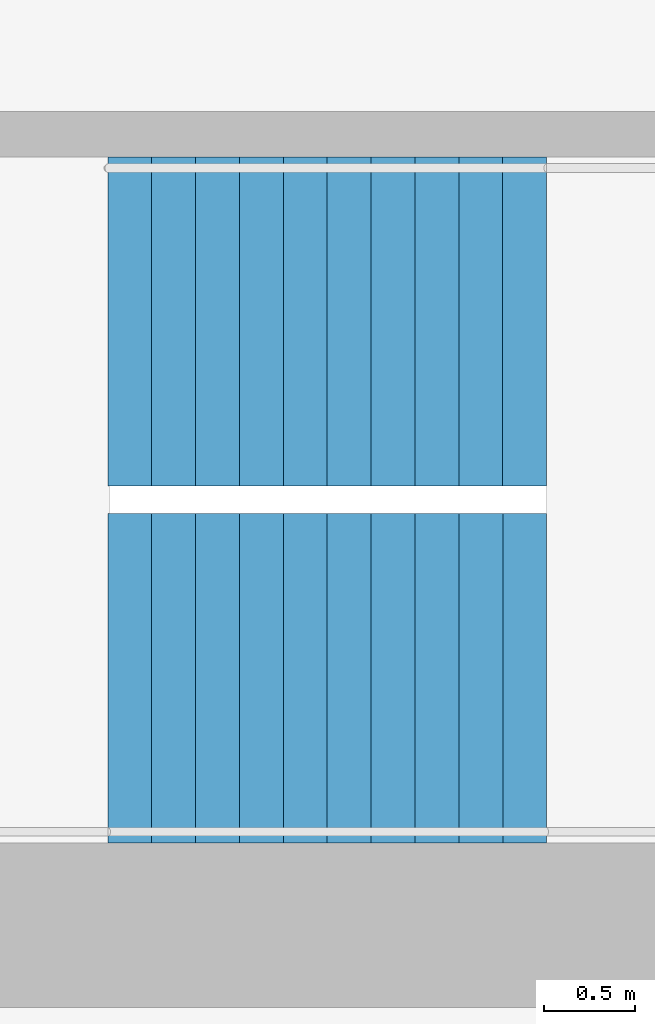
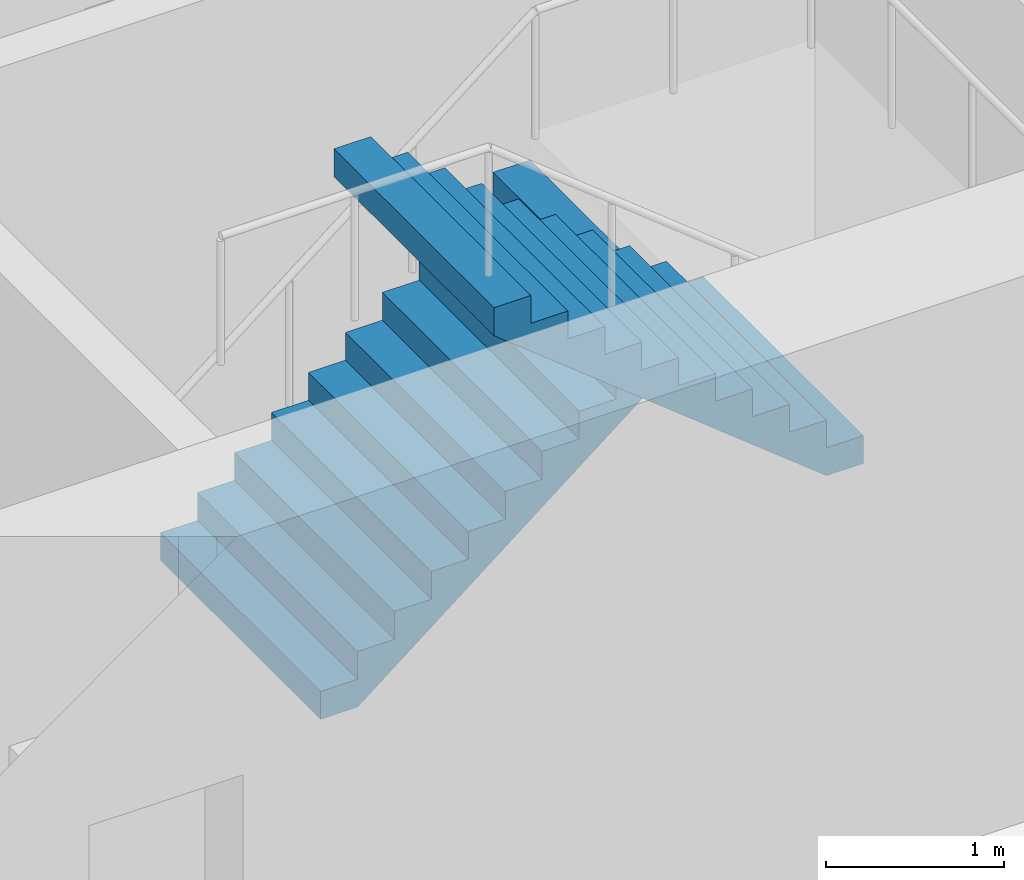
# One storey, part 40 of 41: 2 stair flights, 1 element without a shape of its own.
"""IFC4 building model written with IfcOpenShell, lengths in metres."""

from ifc_helpers import new_model, si_unit, direction, frame, origin, place, context, subcontext, project, spatial, triangles, material, type_object, element, aggregate, save


model = new_model("IFC4")

# Units and contexts
model_context = context("Model", 3, precision=1e-05, world=origin(), true_north=direction((0.0, 1.0)))
body_context = subcontext(model_context, "Body", "Model", "MODEL_VIEW")
ifc_project = project(units=[si_unit("LENGTHUNIT", "METRE"), si_unit("AREAUNIT", "SQUARE_METRE"), si_unit("VOLUMEUNIT", "CUBIC_METRE"), si_unit("PLANEANGLEUNIT", "RADIAN"), si_unit("MASSUNIT", "GRAM", prefix="KILO")], contexts=[model_context])

# Site, building, storey
site_placement = place(None, origin())
site = spatial("IfcSite", under=ifc_project, at=site_placement, CompositionType="ELEMENT")
building_placement = place(site_placement, origin())
building = spatial("IfcBuilding", under=site, at=building_placement, Name="Hakoniwa Tower and Hamabe Station Hall", CompositionType="ELEMENT")
storey_placement = place(building_placement, frame((0.0, 0.0, 276.60009765625)))
storey = spatial("IfcBuildingStorey", under=building, at=storey_placement, Name="L77", CompositionType="ELEMENT", Elevation=276.60009765625)

# Stair, stair flights
ifc_material_1 = material(Name="Concrete C40", Category="concrete")
stair_type = type_object("IfcStairType", Name="ESCAPE STAIR 1800", PredefinedType="HALF_TURN_STAIR", material=ifc_material_1)
stair_placement = place(storey_placement, origin())
stair = element("IfcStair", 1, at=stair_placement, inside=storey, type_object=stair_type, Name="Escape stair ST-4 L77", PredefinedType="HALF_TURN_STAIR")
ifc_material_2 = material(Name="Concrete C40", Category="concrete")
stair_flight_type = type_object("IfcStairFlightType", Name="STAIR FLIGHT 1800", PredefinedType="STRAIGHT", material=ifc_material_2)
stair_flight_1_placement = place(storey_placement, frame((23.39990234375, -4.64990234375, 0.0), z_axis=(0.0, 0.0, 1.0), x_axis=(1.0, 0.0, 0.0)))
stair_flight_1 = element("IfcStairFlight", 2, at=stair_flight_1_placement, type_object=stair_flight_type, Name="ST-4 flight 1", NumberOfRisers=11, NumberOfTreads=10, PredefinedType="STRAIGHT", RiserHeight=0.190909091, TreadLength=0.24, context=body_context, shape_type="Tessellation", body=[
    triangles([(0.0, 0.89990234375, 0.0), (0.239990234375, 0.89990234375, 0.0), (0.24072265625, 0.89990234375, 0.0), (0.47998046875, 0.89990234375, 0.190185546875), (0.719970703125, 0.89990234375, 0.381103515625), (0.9599609375, 0.89990234375, 0.572021484375), (1.199951171875, 0.89990234375, 0.762939453125), (1.43994140625, 0.89990234375, 0.953857421875), (1.679931640625, 0.89990234375, 1.144775390625), (1.919921875, 0.89990234375, 1.335693359375), (2.159912109375, 0.89990234375, 1.526611328125), (2.39990234375, 0.89990234375, 1.717529296875), (2.39990234375, 0.89990234375, 1.9091796875), (2.159912109375, 0.89990234375, 1.9091796875), (2.159912109375, 0.89990234375, 1.71826171875), (1.919921875, 0.89990234375, 1.71826171875), (1.919921875, 0.89990234375, 1.52734375), (1.679931640625, 0.89990234375, 1.52734375), (1.679931640625, 0.89990234375, 1.33642578125), (1.43994140625, 0.89990234375, 1.33642578125), (1.43994140625, 0.89990234375, 1.1455078125), (1.199951171875, 0.89990234375, 1.1455078125), (1.199951171875, 0.89990234375, 0.95458984375), (0.9599609375, 0.89990234375, 0.95458984375), (0.9599609375, 0.89990234375, 0.763671875), (0.719970703125, 0.89990234375, 0.763671875), (0.719970703125, 0.89990234375, 0.57275390625), (0.47998046875, 0.89990234375, 0.57275390625), (0.47998046875, 0.89990234375, 0.3818359375), (0.24072265625, 0.89990234375, 0.3818359375), (0.239990234375, 0.89990234375, 0.3818359375), (0.239990234375, 0.89990234375, 0.19091796875), (0.0, 0.89990234375, 0.19091796875), (0.0, 0.06005859375, 0.0), (0.239990234375, 0.06005859375, 0.0), (0.24072265625, 0.06005859375, 0.0), (0.47998046875, 0.06005859375, 0.190185546875), (0.719970703125, 0.06005859375, 0.381103515625), (0.9599609375, 0.06005859375, 0.572021484375), (1.199951171875, 0.06005859375, 0.762939453125), (1.43994140625, 0.06005859375, 0.953857421875), (1.679931640625, 0.06005859375, 1.144775390625), (1.919921875, 0.06005859375, 1.335693359375), (2.159912109375, 0.06005859375, 1.526611328125), (2.39990234375, 0.06005859375, 1.717529296875), (2.39990234375, 0.06005859375, 1.9091796875), (2.159912109375, 0.06005859375, 1.9091796875), (2.159912109375, 0.06005859375, 1.71826171875), (1.919921875, 0.06005859375, 1.71826171875), (1.919921875, 0.06005859375, 1.52734375), (1.679931640625, 0.06005859375, 1.52734375), (1.679931640625, 0.06005859375, 1.33642578125), (1.43994140625, 0.06005859375, 1.33642578125), (1.43994140625, 0.06005859375, 1.1455078125), (1.199951171875, 0.06005859375, 1.1455078125), (1.199951171875, 0.06005859375, 0.95458984375), (0.9599609375, 0.06005859375, 0.95458984375), (0.9599609375, 0.06005859375, 0.763671875), (0.719970703125, 0.06005859375, 0.763671875), (0.719970703125, 0.06005859375, 0.57275390625), (0.47998046875, 0.06005859375, 0.57275390625), (0.47998046875, 0.06005859375, 0.3818359375), (0.24072265625, 0.06005859375, 0.3818359375), (0.239990234375, 0.06005859375, 0.3818359375), (0.239990234375, 0.06005859375, 0.19091796875), (0.0, 0.06005859375, 0.19091796875), (0.0, 0.02001953125, 0.0), (0.239990234375, 0.02001953125, 0.0), (0.24072265625, 0.02001953125, 0.0), (0.47998046875, 0.02001953125, 0.190185546875), (0.719970703125, 0.02001953125, 0.381103515625), (0.9599609375, 0.02001953125, 0.572021484375), (1.199951171875, 0.02001953125, 0.762939453125), (1.43994140625, 0.02001953125, 0.953857421875), (1.679931640625, 0.02001953125, 1.144775390625), (1.919921875, 0.02001953125, 1.335693359375), (2.159912109375, 0.02001953125, 1.526611328125), (2.39990234375, 0.02001953125, 1.717529296875), (2.39990234375, 0.02001953125, 1.9091796875), (2.159912109375, 0.02001953125, 1.9091796875), (2.159912109375, 0.02001953125, 1.71826171875), (1.919921875, 0.02001953125, 1.71826171875), (1.919921875, 0.02001953125, 1.52734375), (1.679931640625, 0.02001953125, 1.52734375), (1.679931640625, 0.02001953125, 1.33642578125), (1.43994140625, 0.02001953125, 1.33642578125), (1.43994140625, 0.02001953125, 1.1455078125), (1.199951171875, 0.02001953125, 1.1455078125), (1.199951171875, 0.02001953125, 0.95458984375), (0.9599609375, 0.02001953125, 0.95458984375), (0.9599609375, 0.02001953125, 0.763671875), (0.719970703125, 0.02001953125, 0.763671875), (0.719970703125, 0.02001953125, 0.57275390625), (0.47998046875, 0.02001953125, 0.57275390625), (0.47998046875, 0.02001953125, 0.3818359375), (0.24072265625, 0.02001953125, 0.3818359375), (0.239990234375, 0.02001953125, 0.3818359375), (0.239990234375, 0.02001953125, 0.19091796875), (0.0, 0.02001953125, 0.19091796875), (0.0, -0.02001953125, 0.0), (0.239990234375, -0.02001953125, 0.0), (0.24072265625, -0.02001953125, 0.0), (0.47998046875, -0.02001953125, 0.190185546875), (0.719970703125, -0.02001953125, 0.381103515625), (0.9599609375, -0.02001953125, 0.572021484375), (1.199951171875, -0.02001953125, 0.762939453125), (1.43994140625, -0.02001953125, 0.953857421875), (1.679931640625, -0.02001953125, 1.144775390625), (1.919921875, -0.02001953125, 1.335693359375), (2.159912109375, -0.02001953125, 1.526611328125), (2.39990234375, -0.02001953125, 1.717529296875), (2.39990234375, -0.02001953125, 1.9091796875), (2.159912109375, -0.02001953125, 1.9091796875), (2.159912109375, -0.02001953125, 1.71826171875), (1.919921875, -0.02001953125, 1.71826171875), (1.919921875, -0.02001953125, 1.52734375), (1.679931640625, -0.02001953125, 1.52734375), (1.679931640625, -0.02001953125, 1.33642578125), (1.43994140625, -0.02001953125, 1.33642578125), (1.43994140625, -0.02001953125, 1.1455078125), (1.199951171875, -0.02001953125, 1.1455078125), (1.199951171875, -0.02001953125, 0.95458984375), (0.9599609375, -0.02001953125, 0.95458984375), (0.9599609375, -0.02001953125, 0.763671875), (0.719970703125, -0.02001953125, 0.763671875), (0.719970703125, -0.02001953125, 0.57275390625), (0.47998046875, -0.02001953125, 0.57275390625), (0.47998046875, -0.02001953125, 0.3818359375), (0.24072265625, -0.02001953125, 0.3818359375), (0.239990234375, -0.02001953125, 0.3818359375), (0.239990234375, -0.02001953125, 0.19091796875), (0.0, -0.02001953125, 0.19091796875), (0.0, -0.06005859375, 0.0), (0.239990234375, -0.06005859375, 0.0), (0.24072265625, -0.06005859375, 0.0), (0.47998046875, -0.06005859375, 0.190185546875), (0.719970703125, -0.06005859375, 0.381103515625), (0.9599609375, -0.06005859375, 0.572021484375), (1.199951171875, -0.06005859375, 0.762939453125), (1.43994140625, -0.06005859375, 0.953857421875), (1.679931640625, -0.06005859375, 1.144775390625), (1.919921875, -0.06005859375, 1.335693359375), (2.159912109375, -0.06005859375, 1.526611328125), (2.39990234375, -0.06005859375, 1.717529296875), (2.39990234375, -0.06005859375, 1.9091796875), (2.159912109375, -0.06005859375, 1.9091796875), (2.159912109375, -0.06005859375, 1.71826171875), (1.919921875, -0.06005859375, 1.71826171875), (1.919921875, -0.06005859375, 1.52734375), (1.679931640625, -0.06005859375, 1.52734375), (1.679931640625, -0.06005859375, 1.33642578125), (1.43994140625, -0.06005859375, 1.33642578125), (1.43994140625, -0.06005859375, 1.1455078125), (1.199951171875, -0.06005859375, 1.1455078125), (1.199951171875, -0.06005859375, 0.95458984375), (0.9599609375, -0.06005859375, 0.95458984375), (0.9599609375, -0.06005859375, 0.763671875), (0.719970703125, -0.06005859375, 0.763671875), (0.719970703125, -0.06005859375, 0.57275390625), (0.47998046875, -0.06005859375, 0.57275390625), (0.47998046875, -0.06005859375, 0.3818359375), (0.24072265625, -0.06005859375, 0.3818359375), (0.239990234375, -0.06005859375, 0.3818359375), (0.239990234375, -0.06005859375, 0.19091796875), (0.0, -0.06005859375, 0.19091796875), (0.0, -0.89990234375, 0.0), (0.239990234375, -0.89990234375, 0.0), (0.24072265625, -0.89990234375, 0.0), (0.47998046875, -0.89990234375, 0.190185546875), (0.719970703125, -0.89990234375, 0.381103515625), (0.9599609375, -0.89990234375, 0.572021484375), (1.199951171875, -0.89990234375, 0.762939453125), (1.43994140625, -0.89990234375, 0.953857421875), (1.679931640625, -0.89990234375, 1.144775390625), (1.919921875, -0.89990234375, 1.335693359375), (2.159912109375, -0.89990234375, 1.526611328125), (2.39990234375, -0.89990234375, 1.717529296875), (2.39990234375, -0.89990234375, 1.9091796875), (2.159912109375, -0.89990234375, 1.9091796875), (2.159912109375, -0.89990234375, 1.71826171875), (1.919921875, -0.89990234375, 1.71826171875), (1.919921875, -0.89990234375, 1.52734375), (1.679931640625, -0.89990234375, 1.52734375), (1.679931640625, -0.89990234375, 1.33642578125), (1.43994140625, -0.89990234375, 1.33642578125), (1.43994140625, -0.89990234375, 1.1455078125), (1.199951171875, -0.89990234375, 1.1455078125), (1.199951171875, -0.89990234375, 0.95458984375), (0.9599609375, -0.89990234375, 0.95458984375), (0.9599609375, -0.89990234375, 0.763671875), (0.719970703125, -0.89990234375, 0.763671875), (0.719970703125, -0.89990234375, 0.57275390625), (0.47998046875, -0.89990234375, 0.57275390625), (0.47998046875, -0.89990234375, 0.3818359375), (0.24072265625, -0.89990234375, 0.3818359375), (0.239990234375, -0.89990234375, 0.3818359375), (0.239990234375, -0.89990234375, 0.19091796875), (0.0, -0.89990234375, 0.19091796875)], [[2, 33, 32], [167, 197, 198], [2, 1, 33], [167, 198, 166], [3, 31, 30], [168, 195, 196], [3, 32, 31], [168, 196, 197], [3, 2, 32], [168, 197, 167], [4, 30, 29], [169, 194, 195], [4, 3, 30], [169, 195, 168], [5, 28, 27], [170, 192, 193], [5, 29, 28], [170, 193, 194], [5, 4, 29], [170, 194, 169], [6, 26, 25], [171, 190, 191], [6, 27, 26], [171, 191, 192], [6, 5, 27], [171, 192, 170], [7, 24, 23], [172, 188, 189], [7, 25, 24], [172, 189, 190], [7, 6, 25], [172, 190, 171], [8, 22, 21], [173, 186, 187], [8, 23, 22], [173, 187, 188], [8, 7, 23], [173, 188, 172], [9, 20, 19], [174, 184, 185], [9, 21, 20], [174, 185, 186], [9, 8, 21], [174, 186, 173], [10, 18, 17], [175, 182, 183], [10, 19, 18], [175, 183, 184], [10, 9, 19], [175, 184, 174], [11, 16, 15], [176, 180, 181], [11, 17, 16], [176, 181, 182], [11, 10, 17], [176, 182, 175], [12, 14, 13], [177, 178, 179], [12, 15, 14], [177, 179, 180], [12, 11, 15], [177, 180, 176], [1, 2, 35], [1, 35, 34], [34, 35, 68], [34, 68, 67], [67, 68, 101], [67, 101, 100], [100, 101, 134], [100, 134, 133], [133, 134, 167], [133, 167, 166], [2, 3, 36], [2, 36, 35], [35, 36, 69], [35, 69, 68], [68, 69, 102], [68, 102, 101], [101, 102, 135], [101, 135, 134], [134, 135, 168], [134, 168, 167], [3, 4, 37], [3, 37, 36], [36, 37, 70], [36, 70, 69], [69, 70, 103], [69, 103, 102], [102, 103, 136], [102, 136, 135], [135, 136, 169], [135, 169, 168], [4, 5, 38], [4, 38, 37], [37, 38, 71], [37, 71, 70], [70, 71, 104], [70, 104, 103], [103, 104, 137], [103, 137, 136], [136, 137, 170], [136, 170, 169], [5, 6, 39], [5, 39, 38], [38, 39, 72], [38, 72, 71], [71, 72, 105], [71, 105, 104], [104, 105, 138], [104, 138, 137], [137, 138, 171], [137, 171, 170], [6, 7, 40], [6, 40, 39], [39, 40, 73], [39, 73, 72], [72, 73, 106], [72, 106, 105], [105, 106, 139], [105, 139, 138], [138, 139, 172], [138, 172, 171], [7, 8, 41], [7, 41, 40], [40, 41, 74], [40, 74, 73], [73, 74, 107], [73, 107, 106], [106, 107, 140], [106, 140, 139], [139, 140, 173], [139, 173, 172], [8, 9, 42], [8, 42, 41], [41, 42, 75], [41, 75, 74], [74, 75, 108], [74, 108, 107], [107, 108, 141], [107, 141, 140], [140, 141, 174], [140, 174, 173], [9, 10, 43], [9, 43, 42], [42, 43, 76], [42, 76, 75], [75, 76, 109], [75, 109, 108], [108, 109, 142], [108, 142, 141], [141, 142, 175], [141, 175, 174], [10, 11, 44], [10, 44, 43], [43, 44, 77], [43, 77, 76], [76, 77, 110], [76, 110, 109], [109, 110, 143], [109, 143, 142], [142, 143, 176], [142, 176, 175], [11, 12, 45], [11, 45, 44], [44, 45, 78], [44, 78, 77], [77, 78, 111], [77, 111, 110], [110, 111, 144], [110, 144, 143], [143, 144, 177], [143, 177, 176], [12, 13, 46], [12, 46, 45], [45, 46, 79], [45, 79, 78], [78, 79, 112], [78, 112, 111], [111, 112, 145], [111, 145, 144], [144, 145, 178], [144, 178, 177], [13, 14, 47], [13, 47, 46], [46, 47, 80], [46, 80, 79], [79, 80, 113], [79, 113, 112], [112, 113, 146], [112, 146, 145], [145, 146, 179], [145, 179, 178], [14, 15, 48], [14, 48, 47], [47, 48, 81], [47, 81, 80], [80, 81, 114], [80, 114, 113], [113, 114, 147], [113, 147, 146], [146, 147, 180], [146, 180, 179], [15, 16, 49], [15, 49, 48], [48, 49, 82], [48, 82, 81], [81, 82, 115], [81, 115, 114], [114, 115, 148], [114, 148, 147], [147, 148, 181], [147, 181, 180], [16, 17, 50], [16, 50, 49], [49, 50, 83], [49, 83, 82], [82, 83, 116], [82, 116, 115], [115, 116, 149], [115, 149, 148], [148, 149, 182], [148, 182, 181], [17, 18, 51], [17, 51, 50], [50, 51, 84], [50, 84, 83], [83, 84, 117], [83, 117, 116], [116, 117, 150], [116, 150, 149], [149, 150, 183], [149, 183, 182], [18, 19, 52], [18, 52, 51], [51, 52, 85], [51, 85, 84], [84, 85, 118], [84, 118, 117], [117, 118, 151], [117, 151, 150], [150, 151, 184], [150, 184, 183], [19, 20, 53], [19, 53, 52], [52, 53, 86], [52, 86, 85], [85, 86, 119], [85, 119, 118], [118, 119, 152], [118, 152, 151], [151, 152, 185], [151, 185, 184], [20, 21, 54], [20, 54, 53], [53, 54, 87], [53, 87, 86], [86, 87, 120], [86, 120, 119], [119, 120, 153], [119, 153, 152], [152, 153, 186], [152, 186, 185], [21, 22, 55], [21, 55, 54], [54, 55, 88], [54, 88, 87], [87, 88, 121], [87, 121, 120], [120, 121, 154], [120, 154, 153], [153, 154, 187], [153, 187, 186], [22, 23, 56], [22, 56, 55], [55, 56, 89], [55, 89, 88], [88, 89, 122], [88, 122, 121], [121, 122, 155], [121, 155, 154], [154, 155, 188], [154, 188, 187], [23, 24, 57], [23, 57, 56], [56, 57, 90], [56, 90, 89], [89, 90, 123], [89, 123, 122], [122, 123, 156], [122, 156, 155], [155, 156, 189], [155, 189, 188], [24, 25, 58], [24, 58, 57], [57, 58, 91], [57, 91, 90], [90, 91, 124], [90, 124, 123], [123, 124, 157], [123, 157, 156], [156, 157, 190], [156, 190, 189], [25, 26, 59], [25, 59, 58], [58, 59, 92], [58, 92, 91], [91, 92, 125], [91, 125, 124], [124, 125, 158], [124, 158, 157], [157, 158, 191], [157, 191, 190], [26, 27, 60], [26, 60, 59], [59, 60, 93], [59, 93, 92], [92, 93, 126], [92, 126, 125], [125, 126, 159], [125, 159, 158], [158, 159, 192], [158, 192, 191], [27, 28, 61], [27, 61, 60], [60, 61, 94], [60, 94, 93], [93, 94, 127], [93, 127, 126], [126, 127, 160], [126, 160, 159], [159, 160, 193], [159, 193, 192], [28, 29, 62], [28, 62, 61], [61, 62, 95], [61, 95, 94], [94, 95, 128], [94, 128, 127], [127, 128, 161], [127, 161, 160], [160, 161, 194], [160, 194, 193], [29, 30, 63], [29, 63, 62], [62, 63, 96], [62, 96, 95], [95, 96, 129], [95, 129, 128], [128, 129, 162], [128, 162, 161], [161, 162, 195], [161, 195, 194], [30, 31, 64], [30, 64, 63], [63, 64, 97], [63, 97, 96], [96, 97, 130], [96, 130, 129], [129, 130, 163], [129, 163, 162], [162, 163, 196], [162, 196, 195], [31, 32, 65], [31, 65, 64], [64, 65, 98], [64, 98, 97], [97, 98, 131], [97, 131, 130], [130, 131, 164], [130, 164, 163], [163, 164, 197], [163, 197, 196], [32, 33, 66], [32, 66, 65], [65, 66, 99], [65, 99, 98], [98, 99, 132], [98, 132, 131], [131, 132, 165], [131, 165, 164], [164, 165, 198], [164, 198, 197], [33, 1, 34], [33, 34, 66], [66, 34, 67], [66, 67, 99], [99, 67, 100], [99, 100, 132], [132, 100, 133], [132, 133, 165], [165, 133, 166], [165, 166, 198]], closed=True),
])
stair_flight_2_placement = place(storey_placement, frame((25.800048828125, -6.60009765625, 2.099853515625), z_axis=(0.0, 0.0, 1.0), x_axis=(-1.0, 0.0, 0.0)))
stair_flight_2 = element("IfcStairFlight", 3, at=stair_flight_2_placement, type_object=stair_flight_type, Name="ST-4 flight 2", NumberOfRisers=11, NumberOfTreads=10, PredefinedType="STRAIGHT", RiserHeight=0.190909091, TreadLength=0.24, context=body_context, shape_type="Tessellation", body=[
    triangles([(0.0, 0.89990234375, 0.0), (0.239990234375, 0.89990234375, 0.0), (0.24072265625, 0.89990234375, 0.0), (0.47998046875, 0.89990234375, 0.190185546875), (0.719970703125, 0.89990234375, 0.381103515625), (0.9599609375, 0.89990234375, 0.572021484375), (1.199951171875, 0.89990234375, 0.762939453125), (1.43994140625, 0.89990234375, 0.953857421875), (1.679931640625, 0.89990234375, 1.144775390625), (1.919921875, 0.89990234375, 1.335693359375), (2.159912109375, 0.89990234375, 1.526611328125), (2.39990234375, 0.89990234375, 1.717529296875), (2.39990234375, 0.89990234375, 1.9091796875), (2.159912109375, 0.89990234375, 1.9091796875), (2.159912109375, 0.89990234375, 1.71826171875), (1.919921875, 0.89990234375, 1.71826171875), (1.919921875, 0.89990234375, 1.52734375), (1.679931640625, 0.89990234375, 1.52734375), (1.679931640625, 0.89990234375, 1.33642578125), (1.43994140625, 0.89990234375, 1.33642578125), (1.43994140625, 0.89990234375, 1.1455078125), (1.199951171875, 0.89990234375, 1.1455078125), (1.199951171875, 0.89990234375, 0.95458984375), (0.9599609375, 0.89990234375, 0.95458984375), (0.9599609375, 0.89990234375, 0.763671875), (0.719970703125, 0.89990234375, 0.763671875), (0.719970703125, 0.89990234375, 0.57275390625), (0.47998046875, 0.89990234375, 0.57275390625), (0.47998046875, 0.89990234375, 0.3818359375), (0.24072265625, 0.89990234375, 0.3818359375), (0.239990234375, 0.89990234375, 0.3818359375), (0.239990234375, 0.89990234375, 0.19091796875), (0.0, 0.89990234375, 0.19091796875), (0.0, 0.06005859375, 0.0), (0.239990234375, 0.06005859375, 0.0), (0.24072265625, 0.06005859375, 0.0), (0.47998046875, 0.06005859375, 0.190185546875), (0.719970703125, 0.06005859375, 0.381103515625), (0.9599609375, 0.06005859375, 0.572021484375), (1.199951171875, 0.06005859375, 0.762939453125), (1.43994140625, 0.06005859375, 0.953857421875), (1.679931640625, 0.06005859375, 1.144775390625), (1.919921875, 0.06005859375, 1.335693359375), (2.159912109375, 0.06005859375, 1.526611328125), (2.39990234375, 0.06005859375, 1.717529296875), (2.39990234375, 0.06005859375, 1.9091796875), (2.159912109375, 0.06005859375, 1.9091796875), (2.159912109375, 0.06005859375, 1.71826171875), (1.919921875, 0.06005859375, 1.71826171875), (1.919921875, 0.06005859375, 1.52734375), (1.679931640625, 0.06005859375, 1.52734375), (1.679931640625, 0.06005859375, 1.33642578125), (1.43994140625, 0.06005859375, 1.33642578125), (1.43994140625, 0.06005859375, 1.1455078125), (1.199951171875, 0.06005859375, 1.1455078125), (1.199951171875, 0.06005859375, 0.95458984375), (0.9599609375, 0.06005859375, 0.95458984375), (0.9599609375, 0.06005859375, 0.763671875), (0.719970703125, 0.06005859375, 0.763671875), (0.719970703125, 0.06005859375, 0.57275390625), (0.47998046875, 0.06005859375, 0.57275390625), (0.47998046875, 0.06005859375, 0.3818359375), (0.24072265625, 0.06005859375, 0.3818359375), (0.239990234375, 0.06005859375, 0.3818359375), (0.239990234375, 0.06005859375, 0.19091796875), (0.0, 0.06005859375, 0.19091796875), (0.0, 0.02001953125, 0.0), (0.239990234375, 0.02001953125, 0.0), (0.24072265625, 0.02001953125, 0.0), (0.47998046875, 0.02001953125, 0.190185546875), (0.719970703125, 0.02001953125, 0.381103515625), (0.9599609375, 0.02001953125, 0.572021484375), (1.199951171875, 0.02001953125, 0.762939453125), (1.43994140625, 0.02001953125, 0.953857421875), (1.679931640625, 0.02001953125, 1.144775390625), (1.919921875, 0.02001953125, 1.335693359375), (2.159912109375, 0.02001953125, 1.526611328125), (2.39990234375, 0.02001953125, 1.717529296875), (2.39990234375, 0.02001953125, 1.9091796875), (2.159912109375, 0.02001953125, 1.9091796875), (2.159912109375, 0.02001953125, 1.71826171875), (1.919921875, 0.02001953125, 1.71826171875), (1.919921875, 0.02001953125, 1.52734375), (1.679931640625, 0.02001953125, 1.52734375), (1.679931640625, 0.02001953125, 1.33642578125), (1.43994140625, 0.02001953125, 1.33642578125), (1.43994140625, 0.02001953125, 1.1455078125), (1.199951171875, 0.02001953125, 1.1455078125), (1.199951171875, 0.02001953125, 0.95458984375), (0.9599609375, 0.02001953125, 0.95458984375), (0.9599609375, 0.02001953125, 0.763671875), (0.719970703125, 0.02001953125, 0.763671875), (0.719970703125, 0.02001953125, 0.57275390625), (0.47998046875, 0.02001953125, 0.57275390625), (0.47998046875, 0.02001953125, 0.3818359375), (0.24072265625, 0.02001953125, 0.3818359375), (0.239990234375, 0.02001953125, 0.3818359375), (0.239990234375, 0.02001953125, 0.19091796875), (0.0, 0.02001953125, 0.19091796875), (0.0, -0.02001953125, 0.0), (0.239990234375, -0.02001953125, 0.0), (0.24072265625, -0.02001953125, 0.0), (0.47998046875, -0.02001953125, 0.190185546875), (0.719970703125, -0.02001953125, 0.381103515625), (0.9599609375, -0.02001953125, 0.572021484375), (1.199951171875, -0.02001953125, 0.762939453125), (1.43994140625, -0.02001953125, 0.953857421875), (1.679931640625, -0.02001953125, 1.144775390625), (1.919921875, -0.02001953125, 1.335693359375), (2.159912109375, -0.02001953125, 1.526611328125), (2.39990234375, -0.02001953125, 1.717529296875), (2.39990234375, -0.02001953125, 1.9091796875), (2.159912109375, -0.02001953125, 1.9091796875), (2.159912109375, -0.02001953125, 1.71826171875), (1.919921875, -0.02001953125, 1.71826171875), (1.919921875, -0.02001953125, 1.52734375), (1.679931640625, -0.02001953125, 1.52734375), (1.679931640625, -0.02001953125, 1.33642578125), (1.43994140625, -0.02001953125, 1.33642578125), (1.43994140625, -0.02001953125, 1.1455078125), (1.199951171875, -0.02001953125, 1.1455078125), (1.199951171875, -0.02001953125, 0.95458984375), (0.9599609375, -0.02001953125, 0.95458984375), (0.9599609375, -0.02001953125, 0.763671875), (0.719970703125, -0.02001953125, 0.763671875), (0.719970703125, -0.02001953125, 0.57275390625), (0.47998046875, -0.02001953125, 0.57275390625), (0.47998046875, -0.02001953125, 0.3818359375), (0.24072265625, -0.02001953125, 0.3818359375), (0.239990234375, -0.02001953125, 0.3818359375), (0.239990234375, -0.02001953125, 0.19091796875), (0.0, -0.02001953125, 0.19091796875), (0.0, -0.06005859375, 0.0), (0.239990234375, -0.06005859375, 0.0), (0.24072265625, -0.06005859375, 0.0), (0.47998046875, -0.06005859375, 0.190185546875), (0.719970703125, -0.06005859375, 0.381103515625), (0.9599609375, -0.06005859375, 0.572021484375), (1.199951171875, -0.06005859375, 0.762939453125), (1.43994140625, -0.06005859375, 0.953857421875), (1.679931640625, -0.06005859375, 1.144775390625), (1.919921875, -0.06005859375, 1.335693359375), (2.159912109375, -0.06005859375, 1.526611328125), (2.39990234375, -0.06005859375, 1.717529296875), (2.39990234375, -0.06005859375, 1.9091796875), (2.159912109375, -0.06005859375, 1.9091796875), (2.159912109375, -0.06005859375, 1.71826171875), (1.919921875, -0.06005859375, 1.71826171875), (1.919921875, -0.06005859375, 1.52734375), (1.679931640625, -0.06005859375, 1.52734375), (1.679931640625, -0.06005859375, 1.33642578125), (1.43994140625, -0.06005859375, 1.33642578125), (1.43994140625, -0.06005859375, 1.1455078125), (1.199951171875, -0.06005859375, 1.1455078125), (1.199951171875, -0.06005859375, 0.95458984375), (0.9599609375, -0.06005859375, 0.95458984375), (0.9599609375, -0.06005859375, 0.763671875), (0.719970703125, -0.06005859375, 0.763671875), (0.719970703125, -0.06005859375, 0.57275390625), (0.47998046875, -0.06005859375, 0.57275390625), (0.47998046875, -0.06005859375, 0.3818359375), (0.24072265625, -0.06005859375, 0.3818359375), (0.239990234375, -0.06005859375, 0.3818359375), (0.239990234375, -0.06005859375, 0.19091796875), (0.0, -0.06005859375, 0.19091796875), (0.0, -0.89990234375, 0.0), (0.239990234375, -0.89990234375, 0.0), (0.24072265625, -0.89990234375, 0.0), (0.47998046875, -0.89990234375, 0.190185546875), (0.719970703125, -0.89990234375, 0.381103515625), (0.9599609375, -0.89990234375, 0.572021484375), (1.199951171875, -0.89990234375, 0.762939453125), (1.43994140625, -0.89990234375, 0.953857421875), (1.679931640625, -0.89990234375, 1.144775390625), (1.919921875, -0.89990234375, 1.335693359375), (2.159912109375, -0.89990234375, 1.526611328125), (2.39990234375, -0.89990234375, 1.717529296875), (2.39990234375, -0.89990234375, 1.9091796875), (2.159912109375, -0.89990234375, 1.9091796875), (2.159912109375, -0.89990234375, 1.71826171875), (1.919921875, -0.89990234375, 1.71826171875), (1.919921875, -0.89990234375, 1.52734375), (1.679931640625, -0.89990234375, 1.52734375), (1.679931640625, -0.89990234375, 1.33642578125), (1.43994140625, -0.89990234375, 1.33642578125), (1.43994140625, -0.89990234375, 1.1455078125), (1.199951171875, -0.89990234375, 1.1455078125), (1.199951171875, -0.89990234375, 0.95458984375), (0.9599609375, -0.89990234375, 0.95458984375), (0.9599609375, -0.89990234375, 0.763671875), (0.719970703125, -0.89990234375, 0.763671875), (0.719970703125, -0.89990234375, 0.57275390625), (0.47998046875, -0.89990234375, 0.57275390625), (0.47998046875, -0.89990234375, 0.3818359375), (0.24072265625, -0.89990234375, 0.3818359375), (0.239990234375, -0.89990234375, 0.3818359375), (0.239990234375, -0.89990234375, 0.19091796875), (0.0, -0.89990234375, 0.19091796875)], [[2, 33, 32], [167, 197, 198], [2, 1, 33], [167, 198, 166], [3, 31, 30], [168, 195, 196], [3, 32, 31], [168, 196, 197], [3, 2, 32], [168, 197, 167], [4, 30, 29], [169, 194, 195], [4, 3, 30], [169, 195, 168], [5, 28, 27], [170, 192, 193], [5, 29, 28], [170, 193, 194], [5, 4, 29], [170, 194, 169], [6, 26, 25], [171, 190, 191], [6, 27, 26], [171, 191, 192], [6, 5, 27], [171, 192, 170], [7, 24, 23], [172, 188, 189], [7, 25, 24], [172, 189, 190], [7, 6, 25], [172, 190, 171], [8, 22, 21], [173, 186, 187], [8, 23, 22], [173, 187, 188], [8, 7, 23], [173, 188, 172], [9, 20, 19], [174, 184, 185], [9, 21, 20], [174, 185, 186], [9, 8, 21], [174, 186, 173], [10, 18, 17], [175, 182, 183], [10, 19, 18], [175, 183, 184], [10, 9, 19], [175, 184, 174], [11, 16, 15], [176, 180, 181], [11, 17, 16], [176, 181, 182], [11, 10, 17], [176, 182, 175], [12, 14, 13], [177, 178, 179], [12, 15, 14], [177, 179, 180], [12, 11, 15], [177, 180, 176], [1, 2, 35], [1, 35, 34], [34, 35, 68], [34, 68, 67], [67, 68, 101], [67, 101, 100], [100, 101, 134], [100, 134, 133], [133, 134, 167], [133, 167, 166], [2, 3, 36], [2, 36, 35], [35, 36, 69], [35, 69, 68], [68, 69, 102], [68, 102, 101], [101, 102, 135], [101, 135, 134], [134, 135, 168], [134, 168, 167], [3, 4, 37], [3, 37, 36], [36, 37, 70], [36, 70, 69], [69, 70, 103], [69, 103, 102], [102, 103, 136], [102, 136, 135], [135, 136, 169], [135, 169, 168], [4, 5, 38], [4, 38, 37], [37, 38, 71], [37, 71, 70], [70, 71, 104], [70, 104, 103], [103, 104, 137], [103, 137, 136], [136, 137, 170], [136, 170, 169], [5, 6, 39], [5, 39, 38], [38, 39, 72], [38, 72, 71], [71, 72, 105], [71, 105, 104], [104, 105, 138], [104, 138, 137], [137, 138, 171], [137, 171, 170], [6, 7, 40], [6, 40, 39], [39, 40, 73], [39, 73, 72], [72, 73, 106], [72, 106, 105], [105, 106, 139], [105, 139, 138], [138, 139, 172], [138, 172, 171], [7, 8, 41], [7, 41, 40], [40, 41, 74], [40, 74, 73], [73, 74, 107], [73, 107, 106], [106, 107, 140], [106, 140, 139], [139, 140, 173], [139, 173, 172], [8, 9, 42], [8, 42, 41], [41, 42, 75], [41, 75, 74], [74, 75, 108], [74, 108, 107], [107, 108, 141], [107, 141, 140], [140, 141, 174], [140, 174, 173], [9, 10, 43], [9, 43, 42], [42, 43, 76], [42, 76, 75], [75, 76, 109], [75, 109, 108], [108, 109, 142], [108, 142, 141], [141, 142, 175], [141, 175, 174], [10, 11, 44], [10, 44, 43], [43, 44, 77], [43, 77, 76], [76, 77, 110], [76, 110, 109], [109, 110, 143], [109, 143, 142], [142, 143, 176], [142, 176, 175], [11, 12, 45], [11, 45, 44], [44, 45, 78], [44, 78, 77], [77, 78, 111], [77, 111, 110], [110, 111, 144], [110, 144, 143], [143, 144, 177], [143, 177, 176], [12, 13, 46], [12, 46, 45], [45, 46, 79], [45, 79, 78], [78, 79, 112], [78, 112, 111], [111, 112, 145], [111, 145, 144], [144, 145, 178], [144, 178, 177], [13, 14, 47], [13, 47, 46], [46, 47, 80], [46, 80, 79], [79, 80, 113], [79, 113, 112], [112, 113, 146], [112, 146, 145], [145, 146, 179], [145, 179, 178], [14, 15, 48], [14, 48, 47], [47, 48, 81], [47, 81, 80], [80, 81, 114], [80, 114, 113], [113, 114, 147], [113, 147, 146], [146, 147, 180], [146, 180, 179], [15, 16, 49], [15, 49, 48], [48, 49, 82], [48, 82, 81], [81, 82, 115], [81, 115, 114], [114, 115, 148], [114, 148, 147], [147, 148, 181], [147, 181, 180], [16, 17, 50], [16, 50, 49], [49, 50, 83], [49, 83, 82], [82, 83, 116], [82, 116, 115], [115, 116, 149], [115, 149, 148], [148, 149, 182], [148, 182, 181], [17, 18, 51], [17, 51, 50], [50, 51, 84], [50, 84, 83], [83, 84, 117], [83, 117, 116], [116, 117, 150], [116, 150, 149], [149, 150, 183], [149, 183, 182], [18, 19, 52], [18, 52, 51], [51, 52, 85], [51, 85, 84], [84, 85, 118], [84, 118, 117], [117, 118, 151], [117, 151, 150], [150, 151, 184], [150, 184, 183], [19, 20, 53], [19, 53, 52], [52, 53, 86], [52, 86, 85], [85, 86, 119], [85, 119, 118], [118, 119, 152], [118, 152, 151], [151, 152, 185], [151, 185, 184], [20, 21, 54], [20, 54, 53], [53, 54, 87], [53, 87, 86], [86, 87, 120], [86, 120, 119], [119, 120, 153], [119, 153, 152], [152, 153, 186], [152, 186, 185], [21, 22, 55], [21, 55, 54], [54, 55, 88], [54, 88, 87], [87, 88, 121], [87, 121, 120], [120, 121, 154], [120, 154, 153], [153, 154, 187], [153, 187, 186], [22, 23, 56], [22, 56, 55], [55, 56, 89], [55, 89, 88], [88, 89, 122], [88, 122, 121], [121, 122, 155], [121, 155, 154], [154, 155, 188], [154, 188, 187], [23, 24, 57], [23, 57, 56], [56, 57, 90], [56, 90, 89], [89, 90, 123], [89, 123, 122], [122, 123, 156], [122, 156, 155], [155, 156, 189], [155, 189, 188], [24, 25, 58], [24, 58, 57], [57, 58, 91], [57, 91, 90], [90, 91, 124], [90, 124, 123], [123, 124, 157], [123, 157, 156], [156, 157, 190], [156, 190, 189], [25, 26, 59], [25, 59, 58], [58, 59, 92], [58, 92, 91], [91, 92, 125], [91, 125, 124], [124, 125, 158], [124, 158, 157], [157, 158, 191], [157, 191, 190], [26, 27, 60], [26, 60, 59], [59, 60, 93], [59, 93, 92], [92, 93, 126], [92, 126, 125], [125, 126, 159], [125, 159, 158], [158, 159, 192], [158, 192, 191], [27, 28, 61], [27, 61, 60], [60, 61, 94], [60, 94, 93], [93, 94, 127], [93, 127, 126], [126, 127, 160], [126, 160, 159], [159, 160, 193], [159, 193, 192], [28, 29, 62], [28, 62, 61], [61, 62, 95], [61, 95, 94], [94, 95, 128], [94, 128, 127], [127, 128, 161], [127, 161, 160], [160, 161, 194], [160, 194, 193], [29, 30, 63], [29, 63, 62], [62, 63, 96], [62, 96, 95], [95, 96, 129], [95, 129, 128], [128, 129, 162], [128, 162, 161], [161, 162, 195], [161, 195, 194], [30, 31, 64], [30, 64, 63], [63, 64, 97], [63, 97, 96], [96, 97, 130], [96, 130, 129], [129, 130, 163], [129, 163, 162], [162, 163, 196], [162, 196, 195], [31, 32, 65], [31, 65, 64], [64, 65, 98], [64, 98, 97], [97, 98, 131], [97, 131, 130], [130, 131, 164], [130, 164, 163], [163, 164, 197], [163, 197, 196], [32, 33, 66], [32, 66, 65], [65, 66, 99], [65, 99, 98], [98, 99, 132], [98, 132, 131], [131, 132, 165], [131, 165, 164], [164, 165, 198], [164, 198, 197], [33, 1, 34], [33, 34, 66], [66, 34, 67], [66, 67, 99], [99, 67, 100], [99, 100, 132], [132, 100, 133], [132, 133, 165], [165, 133, 166], [165, 166, 198]], closed=True),
])
aggregate(stair, [stair_flight_1, stair_flight_2])

save(model, "model.ifc")
